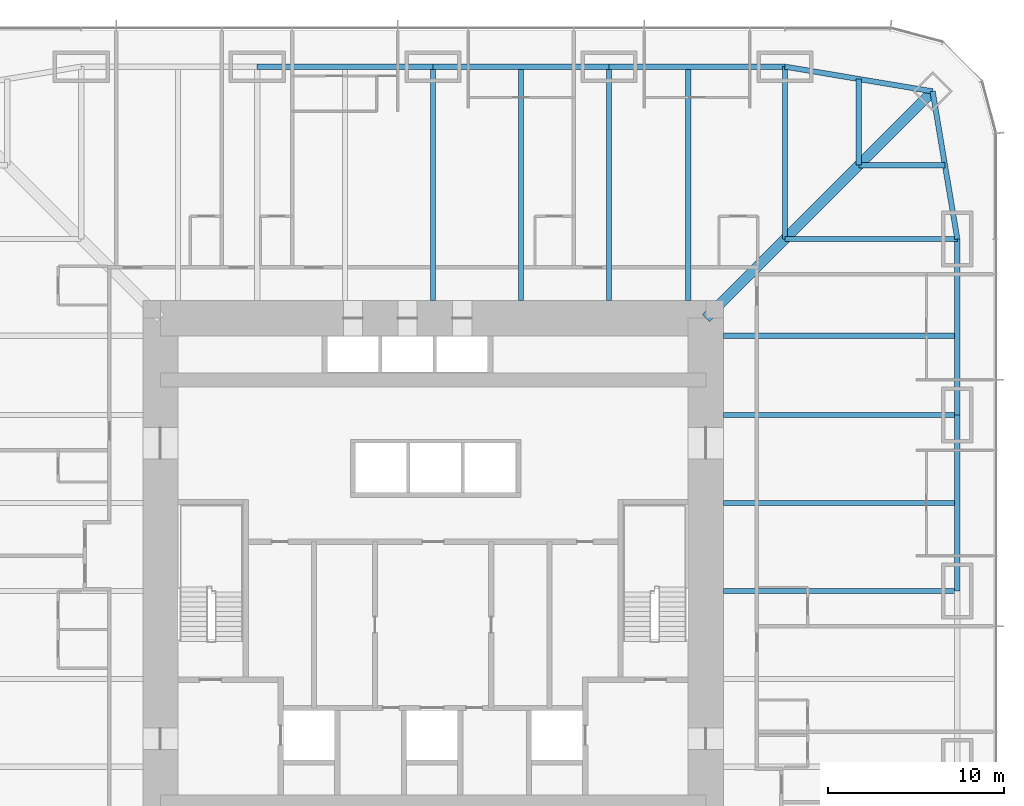
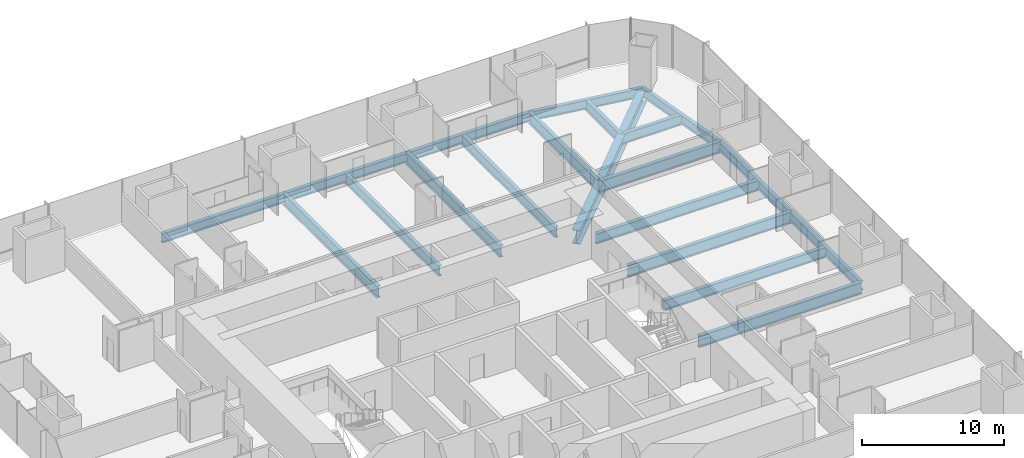
# One storey, part 7 of 20: 20 beams.
"""IFC4 building model written with IfcOpenShell, lengths in metres."""

import ifcopenshell
import ifcopenshell.guid

model = None  # the IFC model being written
_history = None  # IfcOwnerHistory: only IFC2X3 demands one
_inside = {}  # id of a spatial element -> (the spatial element, [elements in it])
_under = {}  # id of a project, library or spatial element -> (it, [spatial elements below it])
_declared = {}  # id of a project -> (the project, [libraries it declares])
_typed = {}  # id of a type object -> (the type object, [elements of that type])
_made_of = {}  # id of a material, layer set ... -> (it, [elements and type objects made of it])


def new_model(schema):
    """Start an empty IFC model of exactly this schema.

    Asked for "IFC4X3", IfcOpenShell would pick the latest addendum, in which some entities
    have other attributes; the version numbers below select the first issue.
    IFC2X3 requires an IfcOwnerHistory on every rooted entity: one is made here for all.
    """
    global model, _history
    if schema == "IFC4X3":
        model = ifcopenshell.file(schema_version=(4, 3, 0, 0))
    else:
        model = ifcopenshell.file(schema=schema)
    _inside.clear()
    _under.clear()
    _declared.clear()
    _typed.clear()
    _made_of.clear()
    _history = None
    if model.schema == "IFC2X3":
        org = make("IfcOrganization", Name="unknown")
        user = make(
            "IfcPersonAndOrganization",
            ThePerson=make("IfcPerson", FamilyName="unknown"),
            TheOrganization=org,
        )
        app = make(
            "IfcApplication",
            ApplicationDeveloper=org,
            Version="unknown",
            ApplicationFullName="unknown",
            ApplicationIdentifier="unknown",
        )
        _history = make(
            "IfcOwnerHistory",
            OwningUser=user,
            OwningApplication=app,
            ChangeAction="ADDED",
            CreationDate=0,
        )
    return model


def make(cls, **values):
    """One entity of the class cls with the attributes given. An attribute that is None is left unset."""
    return model.create_entity(
        cls, **{name: value for name, value in values.items() if value is not None}
    )


def rooted(cls, **values):
    """An entity with a GlobalId (a new one), such as an element, a storey or a relation."""
    return make(cls, GlobalId=ifcopenshell.guid.new(), OwnerHistory=_history, **values)


def si_unit(unit_type, name, prefix=None):
    """IfcSIUnit, for example si_unit("LENGTHUNIT", "METRE", prefix="MILLI")."""
    return make("IfcSIUnit", UnitType=unit_type, Prefix=prefix, Name=name)


def assignment(units):
    """IfcUnitAssignment: the units of a project."""
    return None if units is None else make("IfcUnitAssignment", Units=units)


def point(xyz):
    """IfcCartesianPoint."""
    return None if xyz is None else make("IfcCartesianPoint", Coordinates=xyz)


def direction(xyz):
    """IfcDirection."""
    return None if xyz is None else make("IfcDirection", DirectionRatios=xyz)


def frame(location, z_axis=None, x_axis=None):
    """IfcAxis2Placement3D, a coordinate frame: its origin and axes. An axis left out is left unset."""
    return make(
        "IfcAxis2Placement3D",
        Location=point(location),
        Axis=direction(z_axis),
        RefDirection=direction(x_axis),
    )


def frame_2d(location, x_axis=None):
    """IfcAxis2Placement2D, a coordinate frame in the plane: its origin and x axis."""
    return make(
        "IfcAxis2Placement2D", Location=point(location), RefDirection=direction(x_axis)
    )


def origin():
    """The frame at (0, 0, 0) with its axes left unset."""
    return frame((0.0, 0.0, 0.0))


def origin_2d():
    """The frame at (0, 0) in the plane with its x axis left unset."""
    return frame_2d((0.0, 0.0))


def place(relative_to, where):
    """IfcLocalPlacement: puts the frame where relative to a parent placement (None: the world)."""
    return make(
        "IfcLocalPlacement", PlacementRelTo=relative_to, RelativePlacement=where
    )


def context(
    kind, dimensions, precision=None, world=None, true_north=None, identifier=None
):
    """IfcGeometricRepresentationContext, for example the 3D "Model" context."""
    return make(
        "IfcGeometricRepresentationContext",
        ContextIdentifier=identifier,
        ContextType=kind,
        CoordinateSpaceDimension=dimensions,
        Precision=precision,
        WorldCoordinateSystem=world,
        TrueNorth=true_north,
    )


def subcontext(parent, identifier, kind, view, scale=None):
    """IfcGeometricRepresentationSubContext, for example "Body" below "Model"."""
    return make(
        "IfcGeometricRepresentationSubContext",
        ContextIdentifier=identifier,
        ContextType=kind,
        ParentContext=parent,
        TargetScale=scale,
        TargetView=view,
    )


def project(units=None, contexts=None):
    """IfcProject with its units and contexts."""
    return rooted(
        "IfcProject",
        Name="project",
        RepresentationContexts=contexts,
        UnitsInContext=assignment(units),
    )


def spatial(cls, under=None, at=None, **own):
    """A site, building, storey or space (cls), placed at a placement, below another one or the project."""
    s = rooted(cls, ObjectPlacement=at, **own)
    if under is not None:
        _under.setdefault(under.id(), (under, []))[1].append(s)
    return s


def profile(cls, at=None, kind="AREA", **sizes):
    """A parametric profile (cls). Its sizes go by their IFC names, for example OverallWidth=200.0."""
    return make(cls, ProfileType=kind, Position=at, **sizes)


def i_section(**sizes):
    """IfcIShapeProfileDef."""
    return profile("IfcIShapeProfileDef", **sizes)


def extrude(swept, where, along, depth):
    """IfcExtrudedAreaSolid: the profile swept, set in the frame where, extruded along a direction by depth."""
    return make(
        "IfcExtrudedAreaSolid",
        SweptArea=swept,
        Position=where,
        ExtrudedDirection=direction(along),
        Depth=depth,
    )


def shape(context_of_items, identifier, shape_type, items):
    """IfcShapeRepresentation: the items that make up one representation, for example the "Body"."""
    return make(
        "IfcShapeRepresentation",
        ContextOfItems=context_of_items,
        RepresentationIdentifier=identifier,
        RepresentationType=shape_type,
        Items=items,
    )


def material(Name=None, Category=None):
    """IfcMaterial."""
    return make("IfcMaterial", Name=Name, Category=Category)


def material_profile(
    of_material, cross_section, Name=None, Category=None, Priority=None
):
    """IfcMaterialProfile: a cross section and its material."""
    return make(
        "IfcMaterialProfile",
        Name=Name,
        Material=of_material,
        Profile=cross_section,
        Priority=Priority,
        Category=Category,
    )


def profile_set(profiles, Name=None, composite=None):
    """IfcMaterialProfileSet."""
    return make(
        "IfcMaterialProfileSet",
        Name=Name,
        MaterialProfiles=profiles,
        CompositeProfile=composite,
    )


def made_of(thing, what):
    """Note that an element or type object is made of a material, layer set ...; save() writes the relation."""
    if what is not None:
        _made_of.setdefault(what.id(), (what, []))[1].append(thing)
    return thing


def type_object(cls, material=None, **own):
    """A type object (cls), such as IfcWallType, which elements share."""
    return made_of(rooted(cls, **own), material)


def element(
    cls,
    number,
    at=None,
    inside=None,
    cuts=None,
    type_object=None,
    material=None,
    context=None,
    identifier="Body",
    shape_type=None,
    held_by="IfcProductDefinitionShape",
    body=None,
    shapes=None,
    **own,
):
    """One element of the class cls, such as IfcWall. Its Tag is "e" and its number.

    at: its placement. inside: the storey or other place that contains it. cuts: it is an
    opening in that element (IfcRelVoidsElement). A single representation is given by context,
    identifier, shape_type and body (its items); several are given by shapes. held_by: the class
    of the entity that holds the representations. save() writes the other relations.
    """
    e = rooted(cls, Tag="e%d" % number, ObjectPlacement=at, **own)
    if body is not None:
        shapes = [shape(context, identifier, shape_type, body)]
    if shapes is not None:
        e.Representation = make(held_by, Representations=shapes)
    if inside is not None:
        _inside.setdefault(inside.id(), (inside, []))[1].append(e)
    if cuts is not None:
        rooted(
            "IfcRelVoidsElement", RelatingBuildingElement=cuts, RelatedOpeningElement=e
        )
    if type_object is not None:
        _typed.setdefault(type_object.id(), (type_object, []))[1].append(e)
    return made_of(e, material)


def aggregate(whole, parts):
    """IfcRelAggregates: a whole, such as a stair, and the parts it consists of."""
    return rooted("IfcRelAggregates", RelatingObject=whole, RelatedObjects=parts)


def save(model, path):
    """Write the relations noted so far, then the file.

    IfcRelAggregates (storeys below a building ...), IfcRelContainedInSpatialStructure (elements
    in a storey), IfcRelDefinesByType, IfcRelAssociatesMaterial and IfcRelDeclares: one each for
    every whole, place, type object, material and project.
    """
    for whole, parts in _under.values():
        aggregate(whole, parts)
    for where, things in _inside.values():
        rooted(
            "IfcRelContainedInSpatialStructure",
            RelatedElements=things,
            RelatingStructure=where,
        )
    for kind, things in _typed.values():
        rooted("IfcRelDefinesByType", RelatedObjects=things, RelatingType=kind)
    for what, things in _made_of.values():
        rooted("IfcRelAssociatesMaterial", RelatedObjects=things, RelatingMaterial=what)
    for by, libraries in _declared.values():
        rooted("IfcRelDeclares", RelatingContext=by, RelatedDefinitions=libraries)
    model.write(path)


model = new_model("IFC4")

# Units and contexts
model_context = context("Model", 3, precision=1e-05, world=origin(), true_north=direction((0.0, 1.0)))
body_context = subcontext(model_context, "Body", "Model", "MODEL_VIEW")
ifc_project = project(units=[si_unit("LENGTHUNIT", "METRE"), si_unit("AREAUNIT", "SQUARE_METRE"), si_unit("VOLUMEUNIT", "CUBIC_METRE"), si_unit("PLANEANGLEUNIT", "RADIAN"), si_unit("MASSUNIT", "GRAM", prefix="KILO")], contexts=[model_context])

# Site, building, storey
site_placement = place(None, origin())
site = spatial("IfcSite", under=ifc_project, at=site_placement, CompositionType="ELEMENT")
building_placement = place(site_placement, origin())
building = spatial("IfcBuilding", under=site, at=building_placement, Name="Khuree Lantern Residences", CompositionType="ELEMENT")
storey_placement = place(building_placement, frame((0.0, 0.0, 32.25)))
storey = spatial("IfcBuildingStorey", under=building, at=storey_placement, Name="L07", CompositionType="ELEMENT", Elevation=32.25)

# Beams
ifc_material = material(Name="Steel S355", Category="steel")
ifc_material_profile_1 = material_profile(ifc_material, i_section(OverallWidth=0.300048828125, OverallDepth=0.889892578125, WebThickness=0.01611328125, FlangeThickness=0.030029296875, FilletRadius=0.030029296875, at=origin_2d()), Name="HE 900 A")
ifc_profile_set_1 = profile_set([ifc_material_profile_1], Name="Steel S355")
beam_type_1 = type_object("IfcBeamType", Name="B-11 SECONDARY BEAM HE 900 A", PredefinedType="BEAM", material=ifc_profile_set_1)
for number, where, z_axis, x_axis, name in (
    (1, (5.0, 29.800048828125, -0.695068359375), (0.0, -1.0, 0.0), (1.0, 0.0, 0.0), "Secondary beam N3"),
    (2, (14.5, 29.800048828125, -0.695068359375), (0.0, -1.0, 0.0), (1.0, 0.0, 0.0), "Secondary beam N4"),
):
    element("IfcBeam", number, at=place(storey_placement, frame(where, z_axis=z_axis, x_axis=x_axis)), inside=storey, type_object=beam_type_1, Name=name, PredefinedType="BEAM", context=body_context, shape_type="SweptSolid", body=[
        extrude(i_section(OverallWidth=0.300048828125, OverallDepth=0.889892578125, WebThickness=0.01611328125, FlangeThickness=0.030029296875, FilletRadius=0.030029296875, at=origin_2d()), origin(), (0.0, 0.0, 1.0), 13.300048828125),
    ])
for number, where, z_axis, x_axis, name in (
    (3, (24.197021484375, 29.09716796875, -0.695068359375), (0.0, -1.0, 0.0), (1.0, 0.0, 0.0), "Secondary beam N5"),
    (4, (29.09716796875, 24.197021484375, -0.695068359375), (-1.0, 0.0, 0.0), (0.0, -1.0, 0.0), "Secondary beam E1"),
):
    element("IfcBeam", number, at=place(storey_placement, frame(where, z_axis=z_axis, x_axis=x_axis)), inside=storey, type_object=beam_type_1, Name=name, PredefinedType="BEAM", context=body_context, shape_type="SweptSolid", body=[
        extrude(i_section(OverallWidth=0.300048828125, OverallDepth=0.889892578125, WebThickness=0.01611328125, FlangeThickness=0.030029296875, FilletRadius=0.030029296875, at=origin_2d()), origin(), (0.0, 0.0, 1.0), 4.900146484375),
    ])
for number, where, z_axis, x_axis, name in (
    (5, (29.800048828125, 14.5, -0.695068359375), (-1.0, 0.0, 0.0), (0.0, -1.0, 0.0), "Secondary beam E2"),
    (6, (29.800048828125, 5.0, -0.695068359375), (-1.0, 0.0, 0.0), (0.0, -1.0, 0.0), "Secondary beam E3"),
):
    element("IfcBeam", number, at=place(storey_placement, frame(where, z_axis=z_axis, x_axis=x_axis)), inside=storey, type_object=beam_type_1, Name=name, PredefinedType="BEAM", context=body_context, shape_type="SweptSolid", body=[
        extrude(i_section(OverallWidth=0.300048828125, OverallDepth=0.889892578125, WebThickness=0.01611328125, FlangeThickness=0.030029296875, FilletRadius=0.030029296875, at=origin_2d()), origin(), (0.0, 0.0, 1.0), 13.300048828125),
    ])
ifc_material_profile_2 = material_profile(ifc_material, i_section(OverallWidth=0.300048828125, OverallDepth=0.7900390625, WebThickness=0.014892578125, FlangeThickness=0.028076171875, FilletRadius=0.030029296875, at=origin_2d()), Name="HE 800 A")
ifc_profile_set_2 = profile_set([ifc_material_profile_2], Name="Steel S355")
beam_type_2 = type_object("IfcBeamType", Name="E-11 SPANDREL BEAM HE 800 A", PredefinedType="SPANDREL", material=ifc_profile_set_2)
for number, where, z_axis, x_axis, name in (
    (7, (-10.0, 29.800048828125, -0.64501953125), (1.0, 0.0, 0.0), (0.0, 1.0, 0.0), "Spandrel beam N2"),
    (8, (0.0, 29.800048828125, -0.64501953125), (1.0, 0.0, 0.0), (0.0, 1.0, 0.0), "Spandrel beam N3"),
    (9, (10.0, 29.800048828125, -0.64501953125), (1.0, 0.0, 0.0), (0.0, 1.0, 0.0), "Spandrel beam N4"),
):
    element("IfcBeam", number, at=place(storey_placement, frame(where, z_axis=z_axis, x_axis=x_axis)), inside=storey, type_object=beam_type_2, Name=name, PredefinedType="SPANDREL", context=body_context, shape_type="SweptSolid", body=[
        extrude(i_section(OverallWidth=0.300048828125, OverallDepth=0.7900390625, WebThickness=0.014892578125, FlangeThickness=0.028076171875, FilletRadius=0.030029296875, at=origin_2d()), origin(), (0.0, 0.0, 1.0), 10.0),
    ])
for number, where, z_axis, x_axis, name in (
    (10, (20.0, 29.800048828125, -0.64501953125), (0.986260251158, -0.165199022349, 0.0), (0.165199022349, 0.986260251158, 0.0), "Spandrel beam N5"),
    (11, (28.39404296875, 28.39404296875, -0.64501953125), (0.165199022349, -0.986260251158, 0.0), (0.986260251158, 0.165199022349, 0.0), "Spandrel beam E1"),
):
    element("IfcBeam", number, at=place(storey_placement, frame(where, z_axis=z_axis, x_axis=x_axis)), inside=storey, type_object=beam_type_2, Name=name, PredefinedType="SPANDREL", context=body_context, shape_type="SweptSolid", body=[
        extrude(i_section(OverallWidth=0.300048828125, OverallDepth=0.7900390625, WebThickness=0.014892578125, FlangeThickness=0.028076171875, FilletRadius=0.030029296875, at=origin_2d()), origin(), (0.0, 0.0, 1.0), 8.510986328125),
    ])
for number, where, z_axis, x_axis, name in (
    (12, (29.800048828125, 20.0, -0.64501953125), (0.0, -1.0, 0.0), (1.0, 0.0, 0.0), "Spandrel beam E2"),
    (13, (29.800048828125, 10.0, -0.64501953125), (0.0, -1.0, 0.0), (1.0, 0.0, 0.0), "Spandrel beam E3"),
):
    element("IfcBeam", number, at=place(storey_placement, frame(where, z_axis=z_axis, x_axis=x_axis)), inside=storey, type_object=beam_type_2, Name=name, PredefinedType="SPANDREL", context=body_context, shape_type="SweptSolid", body=[
        extrude(i_section(OverallWidth=0.300048828125, OverallDepth=0.7900390625, WebThickness=0.014892578125, FlangeThickness=0.028076171875, FilletRadius=0.030029296875, at=origin_2d()), origin(), (0.0, 0.0, 1.0), 10.0),
    ])
ifc_material_profile_3 = material_profile(ifc_material, i_section(OverallWidth=0.302001953125, OverallDepth=1.008056640625, WebThickness=0.02099609375, FlangeThickness=0.0400390625, FilletRadius=0.030029296875, at=origin_2d()), Name="HE 1000 M")
ifc_profile_set_3 = profile_set([ifc_material_profile_3], Name="Steel S355")
beam_type_3 = type_object("IfcBeamType", Name="G-11 GIRDER HE 1000 M", PredefinedType="BEAM", material=ifc_profile_set_3)
for number, where, z_axis, x_axis, name in (
    (14, (0.0, 29.800048828125, -0.75390625), (0.0, -1.0, 0.0), (1.0, 0.0, 0.0), "Girder N3"),
    (15, (10.0, 29.800048828125, -0.75390625), (0.0, -1.0, 0.0), (1.0, 0.0, 0.0), "Girder N4"),
):
    element("IfcBeam", number, at=place(storey_placement, frame(where, z_axis=z_axis, x_axis=x_axis)), inside=storey, type_object=beam_type_3, Name=name, PredefinedType="BEAM", context=body_context, shape_type="SweptSolid", body=[
        extrude(i_section(OverallWidth=0.302001953125, OverallDepth=1.008056640625, WebThickness=0.02099609375, FlangeThickness=0.0400390625, FilletRadius=0.030029296875, at=origin_2d()), origin(), (0.0, 0.0, 1.0), 13.300048828125),
    ])
for number, where, z_axis, x_axis, name in (
    (16, (20.0, 29.800048828125, -0.75390625), (0.0, -1.0, 0.0), (1.0, 0.0, 0.0), "Girder N5"),
    (17, (29.800048828125, 20.0, -0.75390625), (-1.0, 0.0, 0.0), (0.0, -1.0, 0.0), "Girder E1"),
):
    element("IfcBeam", number, at=place(storey_placement, frame(where, z_axis=z_axis, x_axis=x_axis)), inside=storey, type_object=beam_type_3, Name=name, PredefinedType="BEAM", context=body_context, shape_type="SweptSolid", body=[
        extrude(i_section(OverallWidth=0.302001953125, OverallDepth=1.008056640625, WebThickness=0.02099609375, FlangeThickness=0.0400390625, FilletRadius=0.030029296875, at=origin_2d()), origin(), (0.0, 0.0, 1.0), 9.800048828125),
    ])
for number, where, z_axis, x_axis, name in (
    (18, (29.800048828125, 10.0, -0.75390625), (-1.0, 0.0, 0.0), (0.0, -1.0, 0.0), "Girder E2"),
    (19, (29.800048828125, 0.0, -0.75390625), (-1.0, 0.0, 0.0), (0.0, -1.0, 0.0), "Girder E3"),
):
    element("IfcBeam", number, at=place(storey_placement, frame(where, z_axis=z_axis, x_axis=x_axis)), inside=storey, type_object=beam_type_3, Name=name, PredefinedType="BEAM", context=body_context, shape_type="SweptSolid", body=[
        extrude(i_section(OverallWidth=0.302001953125, OverallDepth=1.008056640625, WebThickness=0.02099609375, FlangeThickness=0.0400390625, FilletRadius=0.030029296875, at=origin_2d()), origin(), (0.0, 0.0, 1.0), 13.300048828125),
    ])
ifc_material_profile_4 = material_profile(ifc_material, i_section(OverallWidth=0.60009765625, OverallDepth=1.199951171875, WebThickness=0.030029296875, FlangeThickness=0.06005859375, at=origin_2d()), Name="WELDED I 1200X600X30X60")
ifc_profile_set_4 = profile_set([ifc_material_profile_4], Name="Steel S355")
beam_type_4 = type_object("IfcBeamType", Name="GD-11 CORNER GIRDER WELDED I 1200X600X30X60", PredefinedType="BEAM", material=ifc_profile_set_4)
beam_placement = place(storey_placement, frame((28.39404296875, 28.39404296875, -0.85009765625), z_axis=(-0.707106781187, -0.707106781187, 0.0), x_axis=(0.707106781187, -0.707106781187, 0.0)))
element("IfcBeam", 20, at=beam_placement, inside=storey, type_object=beam_type_4, Name="Corner girder NE", PredefinedType="BEAM", context=body_context, shape_type="SweptSolid", body=[
    extrude(i_section(OverallWidth=0.60009765625, OverallDepth=1.199951171875, WebThickness=0.030029296875, FlangeThickness=0.06005859375, at=origin_2d()), origin(), (0.0, 0.0, 1.0), 18.23486328125),
])

save(model, "model.ifc")
